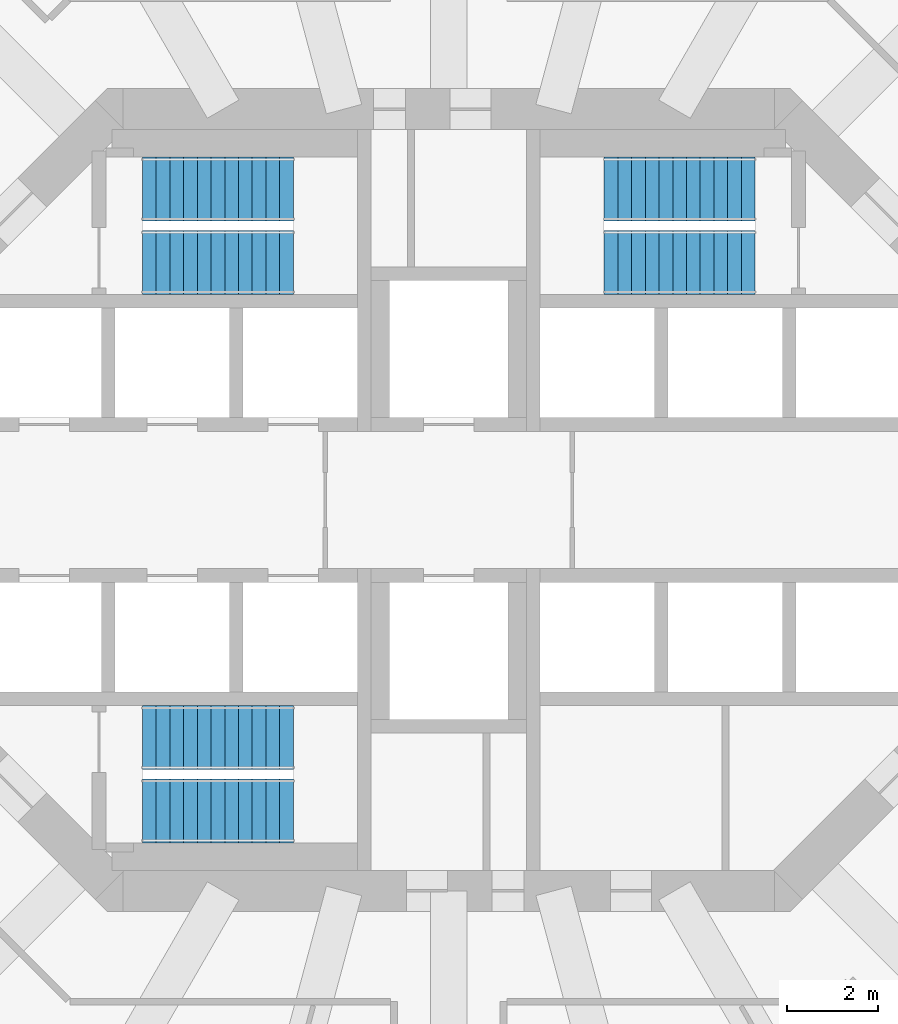
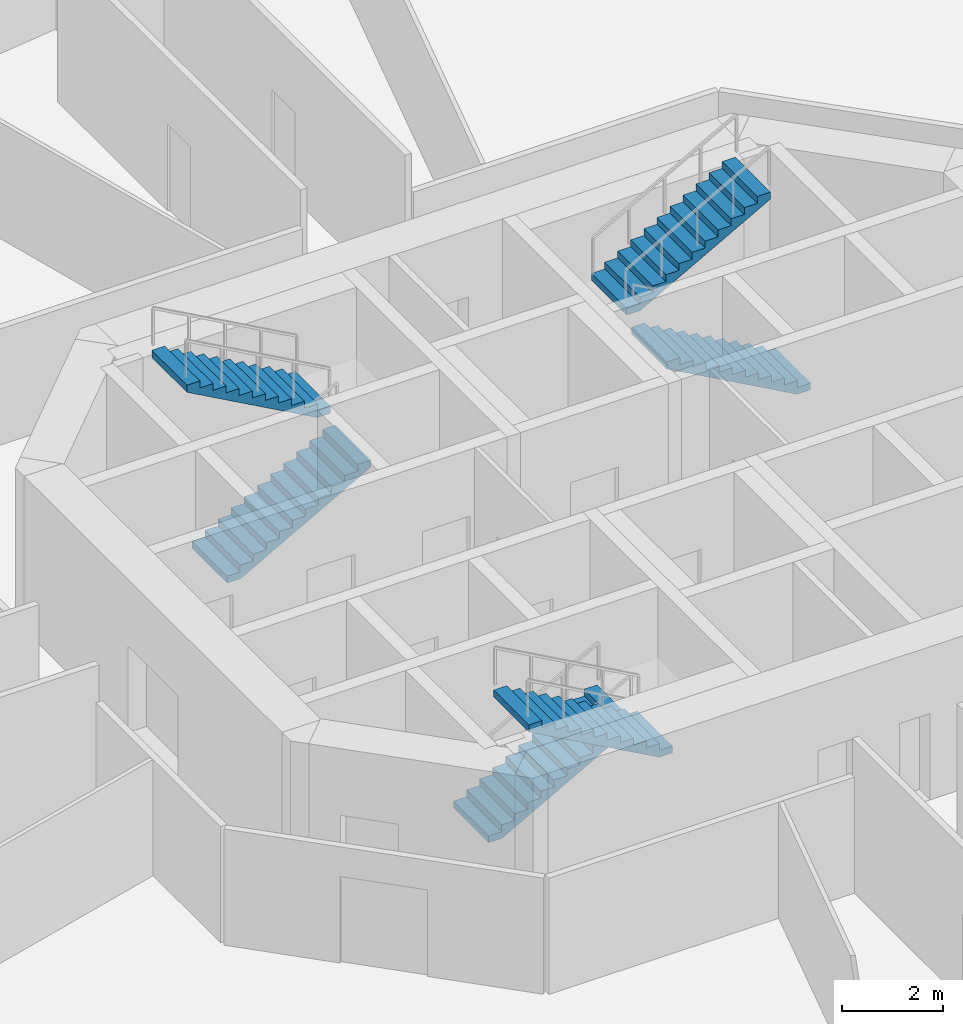
# One storey, part 7 of 9: 6 stair flights, 3 elements without a shape of their own.
"""IFC4 building model written with IfcOpenShell, lengths in metres."""

import ifcopenshell
import ifcopenshell.guid

model = None  # the IFC model being written
_history = None  # IfcOwnerHistory: only IFC2X3 demands one
_inside = {}  # id of a spatial element -> (the spatial element, [elements in it])
_under = {}  # id of a project, library or spatial element -> (it, [spatial elements below it])
_declared = {}  # id of a project -> (the project, [libraries it declares])
_typed = {}  # id of a type object -> (the type object, [elements of that type])
_made_of = {}  # id of a material, layer set ... -> (it, [elements and type objects made of it])


def new_model(schema):
    """Start an empty IFC model of exactly this schema.

    Asked for "IFC4X3", IfcOpenShell would pick the latest addendum, in which some entities
    have other attributes; the version numbers below select the first issue.
    IFC2X3 requires an IfcOwnerHistory on every rooted entity: one is made here for all.
    """
    global model, _history
    if schema == "IFC4X3":
        model = ifcopenshell.file(schema_version=(4, 3, 0, 0))
    else:
        model = ifcopenshell.file(schema=schema)
    _inside.clear()
    _under.clear()
    _declared.clear()
    _typed.clear()
    _made_of.clear()
    _history = None
    if model.schema == "IFC2X3":
        org = make("IfcOrganization", Name="unknown")
        user = make(
            "IfcPersonAndOrganization",
            ThePerson=make("IfcPerson", FamilyName="unknown"),
            TheOrganization=org,
        )
        app = make(
            "IfcApplication",
            ApplicationDeveloper=org,
            Version="unknown",
            ApplicationFullName="unknown",
            ApplicationIdentifier="unknown",
        )
        _history = make(
            "IfcOwnerHistory",
            OwningUser=user,
            OwningApplication=app,
            ChangeAction="ADDED",
            CreationDate=0,
        )
    return model


def make(cls, **values):
    """One entity of the class cls with the attributes given. An attribute that is None is left unset."""
    return model.create_entity(
        cls, **{name: value for name, value in values.items() if value is not None}
    )


def rooted(cls, **values):
    """An entity with a GlobalId (a new one), such as an element, a storey or a relation."""
    return make(cls, GlobalId=ifcopenshell.guid.new(), OwnerHistory=_history, **values)


def si_unit(unit_type, name, prefix=None):
    """IfcSIUnit, for example si_unit("LENGTHUNIT", "METRE", prefix="MILLI")."""
    return make("IfcSIUnit", UnitType=unit_type, Prefix=prefix, Name=name)


def assignment(units):
    """IfcUnitAssignment: the units of a project."""
    return None if units is None else make("IfcUnitAssignment", Units=units)


def point(xyz):
    """IfcCartesianPoint."""
    return None if xyz is None else make("IfcCartesianPoint", Coordinates=xyz)


def direction(xyz):
    """IfcDirection."""
    return None if xyz is None else make("IfcDirection", DirectionRatios=xyz)


def frame(location, z_axis=None, x_axis=None):
    """IfcAxis2Placement3D, a coordinate frame: its origin and axes. An axis left out is left unset."""
    return make(
        "IfcAxis2Placement3D",
        Location=point(location),
        Axis=direction(z_axis),
        RefDirection=direction(x_axis),
    )


def origin():
    """The frame at (0, 0, 0) with its axes left unset."""
    return frame((0.0, 0.0, 0.0))


def place(relative_to, where):
    """IfcLocalPlacement: puts the frame where relative to a parent placement (None: the world)."""
    return make(
        "IfcLocalPlacement", PlacementRelTo=relative_to, RelativePlacement=where
    )


def context(
    kind, dimensions, precision=None, world=None, true_north=None, identifier=None
):
    """IfcGeometricRepresentationContext, for example the 3D "Model" context."""
    return make(
        "IfcGeometricRepresentationContext",
        ContextIdentifier=identifier,
        ContextType=kind,
        CoordinateSpaceDimension=dimensions,
        Precision=precision,
        WorldCoordinateSystem=world,
        TrueNorth=true_north,
    )


def subcontext(parent, identifier, kind, view, scale=None):
    """IfcGeometricRepresentationSubContext, for example "Body" below "Model"."""
    return make(
        "IfcGeometricRepresentationSubContext",
        ContextIdentifier=identifier,
        ContextType=kind,
        ParentContext=parent,
        TargetScale=scale,
        TargetView=view,
    )


def project(units=None, contexts=None):
    """IfcProject with its units and contexts."""
    return rooted(
        "IfcProject",
        Name="project",
        RepresentationContexts=contexts,
        UnitsInContext=assignment(units),
    )


def spatial(cls, under=None, at=None, **own):
    """A site, building, storey or space (cls), placed at a placement, below another one or the project."""
    s = rooted(cls, ObjectPlacement=at, **own)
    if under is not None:
        _under.setdefault(under.id(), (under, []))[1].append(s)
    return s


def polyline(points):
    """IfcPolyline through the points."""
    return make("IfcPolyline", Points=[point(p) for p in points])


def outline(outer, holes=None, kind="AREA"):
    """IfcArbitraryClosedProfileDef: a profile drawn as a closed curve; with holes, ...WithVoids."""
    if holes is None:
        return make("IfcArbitraryClosedProfileDef", ProfileType=kind, OuterCurve=outer)
    return make(
        "IfcArbitraryProfileDefWithVoids",
        ProfileType=kind,
        OuterCurve=outer,
        InnerCurves=holes,
    )


def extrude(swept, where, along, depth):
    """IfcExtrudedAreaSolid: the profile swept, set in the frame where, extruded along a direction by depth."""
    return make(
        "IfcExtrudedAreaSolid",
        SweptArea=swept,
        Position=where,
        ExtrudedDirection=direction(along),
        Depth=depth,
    )


def shape(context_of_items, identifier, shape_type, items):
    """IfcShapeRepresentation: the items that make up one representation, for example the "Body"."""
    return make(
        "IfcShapeRepresentation",
        ContextOfItems=context_of_items,
        RepresentationIdentifier=identifier,
        RepresentationType=shape_type,
        Items=items,
    )


def material(Name=None, Category=None):
    """IfcMaterial."""
    return make("IfcMaterial", Name=Name, Category=Category)


def made_of(thing, what):
    """Note that an element or type object is made of a material, layer set ...; save() writes the relation."""
    if what is not None:
        _made_of.setdefault(what.id(), (what, []))[1].append(thing)
    return thing


def type_object(cls, material=None, **own):
    """A type object (cls), such as IfcWallType, which elements share."""
    return made_of(rooted(cls, **own), material)


def element(
    cls,
    number,
    at=None,
    inside=None,
    cuts=None,
    type_object=None,
    material=None,
    context=None,
    identifier="Body",
    shape_type=None,
    held_by="IfcProductDefinitionShape",
    body=None,
    shapes=None,
    **own,
):
    """One element of the class cls, such as IfcWall. Its Tag is "e" and its number.

    at: its placement. inside: the storey or other place that contains it. cuts: it is an
    opening in that element (IfcRelVoidsElement). A single representation is given by context,
    identifier, shape_type and body (its items); several are given by shapes. held_by: the class
    of the entity that holds the representations. save() writes the other relations.
    """
    e = rooted(cls, Tag="e%d" % number, ObjectPlacement=at, **own)
    if body is not None:
        shapes = [shape(context, identifier, shape_type, body)]
    if shapes is not None:
        e.Representation = make(held_by, Representations=shapes)
    if inside is not None:
        _inside.setdefault(inside.id(), (inside, []))[1].append(e)
    if cuts is not None:
        rooted(
            "IfcRelVoidsElement", RelatingBuildingElement=cuts, RelatedOpeningElement=e
        )
    if type_object is not None:
        _typed.setdefault(type_object.id(), (type_object, []))[1].append(e)
    return made_of(e, material)


def aggregate(whole, parts):
    """IfcRelAggregates: a whole, such as a stair, and the parts it consists of."""
    return rooted("IfcRelAggregates", RelatingObject=whole, RelatedObjects=parts)


def save(model, path):
    """Write the relations noted so far, then the file.

    IfcRelAggregates (storeys below a building ...), IfcRelContainedInSpatialStructure (elements
    in a storey), IfcRelDefinesByType, IfcRelAssociatesMaterial and IfcRelDeclares: one each for
    every whole, place, type object, material and project.
    """
    for whole, parts in _under.values():
        aggregate(whole, parts)
    for where, things in _inside.values():
        rooted(
            "IfcRelContainedInSpatialStructure",
            RelatedElements=things,
            RelatingStructure=where,
        )
    for kind, things in _typed.values():
        rooted("IfcRelDefinesByType", RelatedObjects=things, RelatingType=kind)
    for what, things in _made_of.values():
        rooted("IfcRelAssociatesMaterial", RelatedObjects=things, RelatingMaterial=what)
    for by, libraries in _declared.values():
        rooted("IfcRelDeclares", RelatingContext=by, RelatedDefinitions=libraries)
    model.write(path)


model = new_model("IFC4")

# Units and contexts
model_context = context("Model", 3, precision=1e-05, world=origin(), true_north=direction((0.0, 1.0)))
body_context = subcontext(model_context, "Body", "Model", "MODEL_VIEW")
ifc_project = project(units=[si_unit("LENGTHUNIT", "METRE"), si_unit("AREAUNIT", "SQUARE_METRE"), si_unit("VOLUMEUNIT", "CUBIC_METRE"), si_unit("PLANEANGLEUNIT", "RADIAN"), si_unit("MASSUNIT", "GRAM", prefix="KILO")], contexts=[model_context])

# Site, building, storey
site_placement = place(None, origin())
site = spatial("IfcSite", under=ifc_project, at=site_placement, CompositionType="ELEMENT")
building_placement = place(site_placement, origin())
building = spatial("IfcBuilding", under=site, at=building_placement, Name="Torre Triforio", CompositionType="ELEMENT")
storey_placement = place(building_placement, frame((0.0, 0.0, 31.0)))
storey = spatial("IfcBuildingStorey", under=building, at=storey_placement, Name="L05", CompositionType="ELEMENT", Elevation=31.0)

# Stair, stair flights
ifc_material = material(Name="Concrete C40", Category="concrete")
stair_type = type_object("IfcStairType", Name="STAIR HALF-TURN", PredefinedType="HALF_TURN_STAIR", material=ifc_material)
stair_1_placement = place(storey_placement, origin())
stair_1 = element("IfcStair", 1, at=stair_1_placement, inside=storey, type_object=stair_type, Name="Exit stair 1", PredefinedType="HALF_TURN_STAIR")
stair_flight_type = type_object("IfcStairFlightType", Name="STAIR FLIGHT 1400", PredefinedType="STRAIGHT", material=ifc_material)
stair_flight_1_placement = place(storey_placement, frame((-6.699951171875, 5.199951171875, 0.0), z_axis=(0.0, 0.0, 1.0), x_axis=(1.0, 0.0, 0.0)))
stair_flight_1 = element("IfcStairFlight", 2, at=stair_flight_1_placement, type_object=stair_flight_type, Name="ST1 flight 1", NumberOfRisers=12, NumberOfTreads=11, PredefinedType="STRAIGHT", RiserHeight=0.166666667, TreadLength=0.3, context=body_context, shape_type="SweptSolid", body=[
    extrude(outline(polyline([(0.0, 0.0), (0.0, 0.166748046875), (0.300048828125, 0.166748046875), (0.300048828125, 0.333251953125), (0.60009765625, 0.333251953125), (0.60009765625, 0.5), (0.89990234375, 0.5), (0.89990234375, 0.666748046875), (1.199951171875, 0.666748046875), (1.199951171875, 0.833251953125), (1.5, 0.833251953125), (1.5, 1.0), (1.800048828125, 1.0), (1.800048828125, 1.166748046875), (2.10009765625, 1.166748046875), (2.10009765625, 1.333251953125), (2.39990234375, 1.333251953125), (2.39990234375, 1.5), (2.699951171875, 1.5), (2.699951171875, 1.666748046875), (3.0, 1.666748046875), (3.0, 1.833251953125), (3.300048828125, 1.833251953125), (3.300048828125, 2.0), (3.300048828125, 1.661865234375), (0.30859375, 0.0), (0.0, 0.0)])), frame((0.0, 0.699951171875, 0.0), z_axis=(0.0, -1.0, 0.0), x_axis=(1.0, 0.0, 0.0)), (0.0, 0.0, 1.0), 1.39990234375),
])
stair_flight_2_placement = place(storey_placement, frame((-3.39990234375, 6.800048828125, 2.0), z_axis=(0.0, 0.0, 1.0), x_axis=(-1.0, 0.0, 0.0)))
stair_flight_2 = element("IfcStairFlight", 3, at=stair_flight_2_placement, type_object=stair_flight_type, Name="ST1 flight 2", NumberOfRisers=12, NumberOfTreads=11, PredefinedType="STRAIGHT", RiserHeight=0.166666667, TreadLength=0.3, context=body_context, shape_type="SweptSolid", body=[
    extrude(outline(polyline([(0.0, 0.0), (0.0, 0.166748046875), (0.300048828125, 0.166748046875), (0.300048828125, 0.333251953125), (0.60009765625, 0.333251953125), (0.60009765625, 0.5), (0.89990234375, 0.5), (0.89990234375, 0.666748046875), (1.199951171875, 0.666748046875), (1.199951171875, 0.833251953125), (1.5, 0.833251953125), (1.5, 1.0), (1.800048828125, 1.0), (1.800048828125, 1.166748046875), (2.10009765625, 1.166748046875), (2.10009765625, 1.333251953125), (2.39990234375, 1.333251953125), (2.39990234375, 1.5), (2.699951171875, 1.5), (2.699951171875, 1.666748046875), (3.0, 1.666748046875), (3.0, 1.833251953125), (3.300048828125, 1.833251953125), (3.300048828125, 2.0), (3.300048828125, 1.661865234375), (0.30859375, 0.0), (0.0, 0.0)])), frame((0.0, 0.699951171875, 0.0), z_axis=(0.0, -1.0, 0.0), x_axis=(1.0, 0.0, 0.0)), (0.0, 0.0, 1.0), 1.39990234375),
])
aggregate(stair_1, [stair_flight_1, stair_flight_2])

stair_2_placement = place(storey_placement, origin())
stair_2 = element("IfcStair", 4, at=stair_2_placement, inside=storey, type_object=stair_type, Name="Exit stair 2", PredefinedType="HALF_TURN_STAIR")
stair_flight_3_placement = place(storey_placement, frame((6.699951171875, 5.199951171875, 0.0), z_axis=(0.0, 0.0, 1.0), x_axis=(-1.0, 0.0, 0.0)))
stair_flight_3 = element("IfcStairFlight", 5, at=stair_flight_3_placement, type_object=stair_flight_type, Name="ST2 flight 1", NumberOfRisers=12, NumberOfTreads=11, PredefinedType="STRAIGHT", RiserHeight=0.166666667, TreadLength=0.3, context=body_context, shape_type="SweptSolid", body=[
    extrude(outline(polyline([(0.0, 0.0), (0.0, 0.166748046875), (0.300048828125, 0.166748046875), (0.300048828125, 0.333251953125), (0.60009765625, 0.333251953125), (0.60009765625, 0.5), (0.89990234375, 0.5), (0.89990234375, 0.666748046875), (1.199951171875, 0.666748046875), (1.199951171875, 0.833251953125), (1.5, 0.833251953125), (1.5, 1.0), (1.800048828125, 1.0), (1.800048828125, 1.166748046875), (2.10009765625, 1.166748046875), (2.10009765625, 1.333251953125), (2.39990234375, 1.333251953125), (2.39990234375, 1.5), (2.699951171875, 1.5), (2.699951171875, 1.666748046875), (3.0, 1.666748046875), (3.0, 1.833251953125), (3.300048828125, 1.833251953125), (3.300048828125, 2.0), (3.300048828125, 1.661865234375), (0.30859375, 0.0), (0.0, 0.0)])), frame((0.0, 0.699951171875, 0.0), z_axis=(0.0, -1.0, 0.0), x_axis=(1.0, 0.0, 0.0)), (0.0, 0.0, 1.0), 1.39990234375),
])
stair_flight_4_placement = place(storey_placement, frame((3.39990234375, 6.800048828125, 2.0), z_axis=(0.0, 0.0, 1.0), x_axis=(1.0, 0.0, 0.0)))
stair_flight_4 = element("IfcStairFlight", 6, at=stair_flight_4_placement, type_object=stair_flight_type, Name="ST2 flight 2", NumberOfRisers=12, NumberOfTreads=11, PredefinedType="STRAIGHT", RiserHeight=0.166666667, TreadLength=0.3, context=body_context, shape_type="SweptSolid", body=[
    extrude(outline(polyline([(0.0, 0.0), (0.0, 0.166748046875), (0.300048828125, 0.166748046875), (0.300048828125, 0.333251953125), (0.60009765625, 0.333251953125), (0.60009765625, 0.5), (0.89990234375, 0.5), (0.89990234375, 0.666748046875), (1.199951171875, 0.666748046875), (1.199951171875, 0.833251953125), (1.5, 0.833251953125), (1.5, 1.0), (1.800048828125, 1.0), (1.800048828125, 1.166748046875), (2.10009765625, 1.166748046875), (2.10009765625, 1.333251953125), (2.39990234375, 1.333251953125), (2.39990234375, 1.5), (2.699951171875, 1.5), (2.699951171875, 1.666748046875), (3.0, 1.666748046875), (3.0, 1.833251953125), (3.300048828125, 1.833251953125), (3.300048828125, 2.0), (3.300048828125, 1.661865234375), (0.30859375, 0.0), (0.0, 0.0)])), frame((0.0, 0.699951171875, 0.0), z_axis=(0.0, -1.0, 0.0), x_axis=(1.0, 0.0, 0.0)), (0.0, 0.0, 1.0), 1.39990234375),
])
aggregate(stair_2, [stair_flight_3, stair_flight_4])

stair_3_placement = place(storey_placement, origin())
stair_3 = element("IfcStair", 7, at=stair_3_placement, inside=storey, type_object=stair_type, Name="Exit stair 3", PredefinedType="HALF_TURN_STAIR")
stair_flight_5_placement = place(storey_placement, frame((-6.699951171875, -5.199951171875, 0.0), z_axis=(0.0, 0.0, 1.0), x_axis=(1.0, 0.0, 0.0)))
stair_flight_5 = element("IfcStairFlight", 8, at=stair_flight_5_placement, type_object=stair_flight_type, Name="ST3 flight 1", NumberOfRisers=12, NumberOfTreads=11, PredefinedType="STRAIGHT", RiserHeight=0.166666667, TreadLength=0.3, context=body_context, shape_type="SweptSolid", body=[
    extrude(outline(polyline([(0.0, 0.0), (0.0, 0.166748046875), (0.300048828125, 0.166748046875), (0.300048828125, 0.333251953125), (0.60009765625, 0.333251953125), (0.60009765625, 0.5), (0.89990234375, 0.5), (0.89990234375, 0.666748046875), (1.199951171875, 0.666748046875), (1.199951171875, 0.833251953125), (1.5, 0.833251953125), (1.5, 1.0), (1.800048828125, 1.0), (1.800048828125, 1.166748046875), (2.10009765625, 1.166748046875), (2.10009765625, 1.333251953125), (2.39990234375, 1.333251953125), (2.39990234375, 1.5), (2.699951171875, 1.5), (2.699951171875, 1.666748046875), (3.0, 1.666748046875), (3.0, 1.833251953125), (3.300048828125, 1.833251953125), (3.300048828125, 2.0), (3.300048828125, 1.661865234375), (0.30859375, 0.0), (0.0, 0.0)])), frame((0.0, 0.699951171875, 0.0), z_axis=(0.0, -1.0, 0.0), x_axis=(1.0, 0.0, 0.0)), (0.0, 0.0, 1.0), 1.39990234375),
])
stair_flight_6_placement = place(storey_placement, frame((-3.39990234375, -6.800048828125, 2.0), z_axis=(0.0, 0.0, 1.0), x_axis=(-1.0, 0.0, 0.0)))
stair_flight_6 = element("IfcStairFlight", 9, at=stair_flight_6_placement, type_object=stair_flight_type, Name="ST3 flight 2", NumberOfRisers=12, NumberOfTreads=11, PredefinedType="STRAIGHT", RiserHeight=0.166666667, TreadLength=0.3, context=body_context, shape_type="SweptSolid", body=[
    extrude(outline(polyline([(0.0, 0.0), (0.0, 0.166748046875), (0.300048828125, 0.166748046875), (0.300048828125, 0.333251953125), (0.60009765625, 0.333251953125), (0.60009765625, 0.5), (0.89990234375, 0.5), (0.89990234375, 0.666748046875), (1.199951171875, 0.666748046875), (1.199951171875, 0.833251953125), (1.5, 0.833251953125), (1.5, 1.0), (1.800048828125, 1.0), (1.800048828125, 1.166748046875), (2.10009765625, 1.166748046875), (2.10009765625, 1.333251953125), (2.39990234375, 1.333251953125), (2.39990234375, 1.5), (2.699951171875, 1.5), (2.699951171875, 1.666748046875), (3.0, 1.666748046875), (3.0, 1.833251953125), (3.300048828125, 1.833251953125), (3.300048828125, 2.0), (3.300048828125, 1.661865234375), (0.30859375, 0.0), (0.0, 0.0)])), frame((0.0, 0.699951171875, 0.0), z_axis=(0.0, -1.0, 0.0), x_axis=(1.0, 0.0, 0.0)), (0.0, 0.0, 1.0), 1.39990234375),
])
aggregate(stair_3, [stair_flight_5, stair_flight_6])

save(model, "model.ifc")
